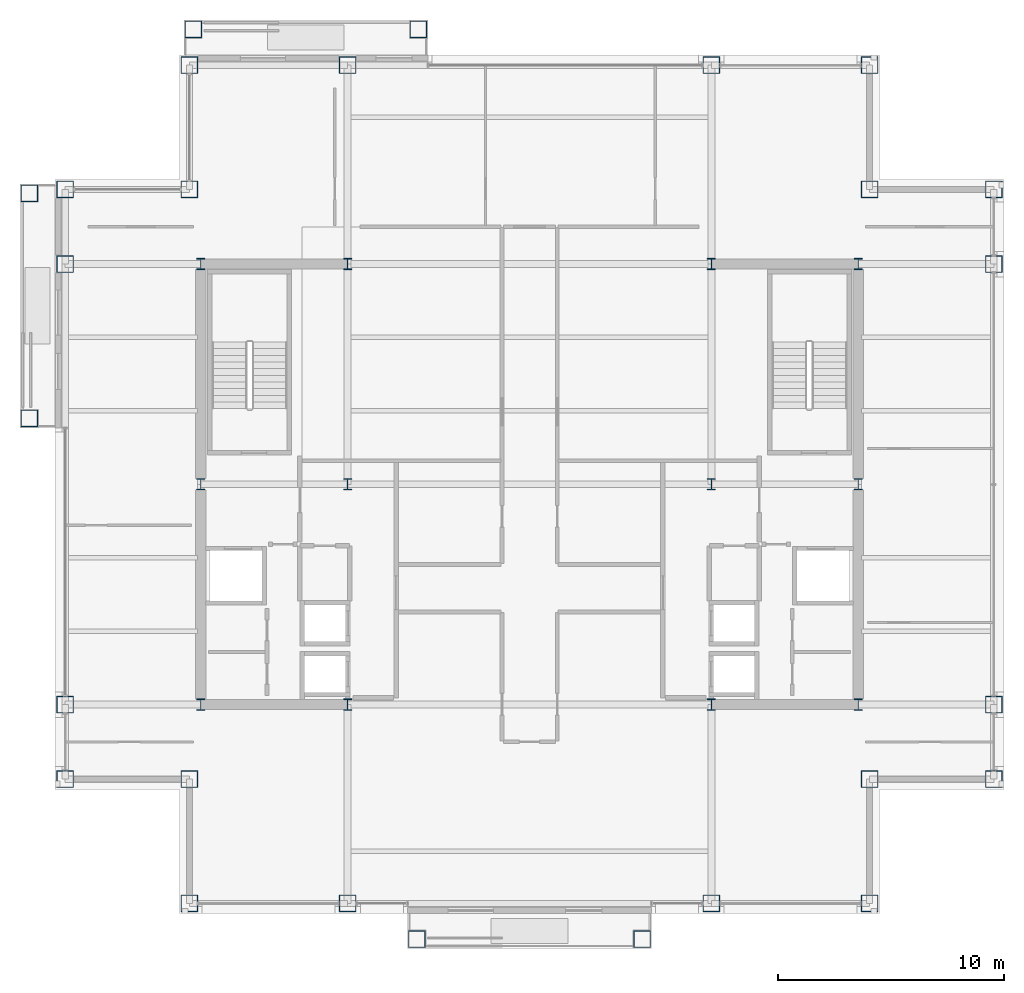
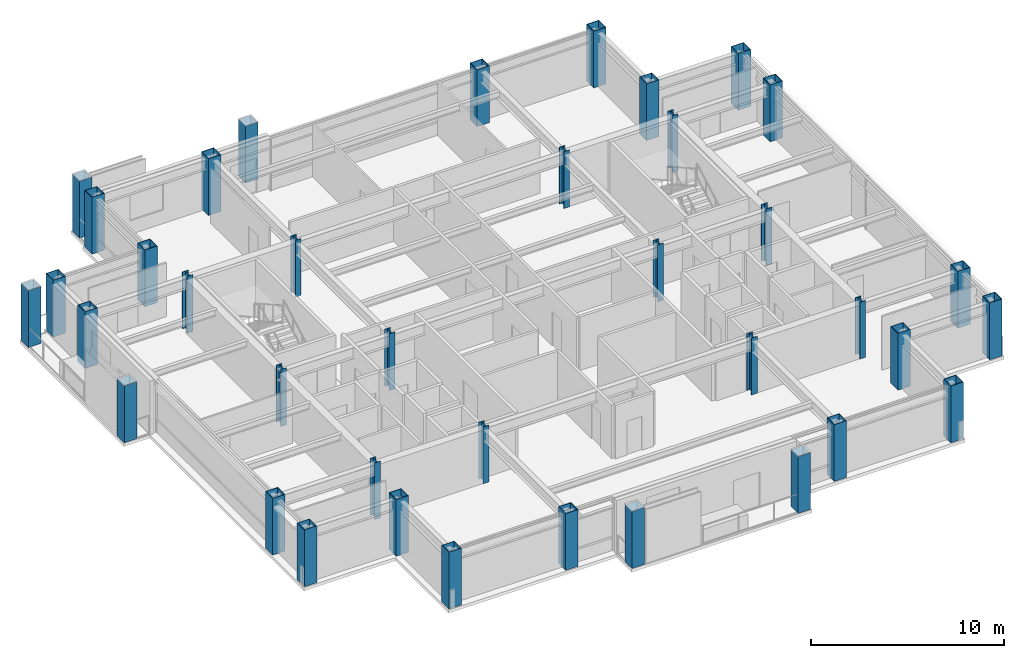
# One storey, part 1 of 28: 38 columns.
"""IFC4 building model written with IfcOpenShell, lengths in metres."""

from ifc_helpers import new_model, si_unit, direction, frame, origin, origin_2d, place, context, subcontext, project, spatial, hollow_rectangle, i_section, extrude, material, material_profile, profile_set, type_object, element, save


model = new_model("IFC4")

# Units and contexts
model_context = context("Model", 3, precision=1e-05, world=origin(), true_north=direction((0.0, 1.0)))
body_context = subcontext(model_context, "Body", "Model", "MODEL_VIEW")
ifc_project = project(units=[si_unit("LENGTHUNIT", "METRE"), si_unit("AREAUNIT", "SQUARE_METRE"), si_unit("VOLUMEUNIT", "CUBIC_METRE"), si_unit("PLANEANGLEUNIT", "RADIAN"), si_unit("MASSUNIT", "GRAM", prefix="KILO")], contexts=[model_context])

# Site, building, storey
site_placement = place(None, origin())
site = spatial("IfcSite", under=ifc_project, at=site_placement, CompositionType="ELEMENT")
building_placement = place(site_placement, origin())
building = spatial("IfcBuilding", under=site, at=building_placement, Name="Brelmoor Portico Tower", CompositionType="ELEMENT")
storey_placement = place(building_placement, frame((0.0, 0.0, 165.89990234375)))
storey = spatial("IfcBuildingStorey", under=building, at=storey_placement, Name="L43", CompositionType="ELEMENT", Elevation=165.89990234375)

# Columns
ifc_material = material(Name="Steel Q355B", Category="steel")
ifc_material_profile_1 = material_profile(ifc_material, hollow_rectangle(XDim=0.75, YDim=0.75, WallThickness=0.031982421875, at=origin_2d()), Name="BOX 750x750x32")
ifc_profile_set_1 = profile_set([ifc_material_profile_1], Name="Steel Q355B")
column_type_1 = type_object("IfcColumnType", Name="COL-MEGA-750", PredefinedType="COLUMN", material=ifc_profile_set_1)
for number, where, z_axis, x_axis, name in (
    (1, (-15.050048828125, -18.550048828125, 0.0), (0.0, 0.0, 1.0), (1.0, 0.0, 0.0), "L43 Perimeter Mega-Column PS01"),
    (2, (-8.050048828125, -18.550048828125, 0.0), (0.0, 0.0, 1.0), (1.0, 0.0, 0.0), "L43 Perimeter Mega-Column PS02"),
    (3, (8.050048828125, -18.550048828125, 0.0), (0.0, 0.0, 1.0), (1.0, 0.0, 0.0), "L43 Perimeter Mega-Column PS03"),
    (4, (15.050048828125, -18.550048828125, 0.0), (0.0, 0.0, 1.0), (1.0, 0.0, 0.0), "L43 Perimeter Mega-Column PS04"),
    (5, (-15.050048828125, 18.550048828125, 0.0), (0.0, 0.0, 1.0), (1.0, 0.0, 0.0), "L43 Perimeter Mega-Column PN01"),
    (6, (-8.050048828125, 18.550048828125, 0.0), (0.0, 0.0, 1.0), (1.0, 0.0, 0.0), "L43 Perimeter Mega-Column PN02"),
    (7, (8.050048828125, 18.550048828125, 0.0), (0.0, 0.0, 1.0), (1.0, 0.0, 0.0), "L43 Perimeter Mega-Column PN03"),
    (8, (15.050048828125, 18.550048828125, 0.0), (0.0, 0.0, 1.0), (1.0, 0.0, 0.0), "L43 Perimeter Mega-Column PN04"),
    (9, (-20.550048828125, -13.050048828125, 0.0), (0.0, 0.0, 1.0), (0.0, 1.0, 0.0), "L43 Perimeter Mega-Column PW01"),
    (10, (-20.550048828125, -9.75, 0.0), (0.0, 0.0, 1.0), (0.0, 1.0, 0.0), "L43 Perimeter Mega-Column PW02"),
    (11, (-20.550048828125, 9.75, 0.0), (0.0, 0.0, 1.0), (0.0, 1.0, 0.0), "L43 Perimeter Mega-Column PW03"),
    (12, (-20.550048828125, 13.050048828125, 0.0), (0.0, 0.0, 1.0), (0.0, 1.0, 0.0), "L43 Perimeter Mega-Column PW04"),
    (13, (20.550048828125, -13.050048828125, 0.0), (0.0, 0.0, 1.0), (0.0, 1.0, 0.0), "L43 Perimeter Mega-Column PE01"),
    (14, (20.550048828125, -9.75, 0.0), (0.0, 0.0, 1.0), (0.0, 1.0, 0.0), "L43 Perimeter Mega-Column PE02"),
    (15, (20.550048828125, 9.75, 0.0), (0.0, 0.0, 1.0), (0.0, 1.0, 0.0), "L43 Perimeter Mega-Column PE03"),
    (16, (20.550048828125, 13.050048828125, 0.0), (0.0, 0.0, 1.0), (0.0, 1.0, 0.0), "L43 Perimeter Mega-Column PE04"),
    (17, (-15.050048828125, 13.050048828125, 0.0), (0.0, 0.0, 1.0), (1.0, 0.0, 0.0), "L43 Perimeter Mega-Column PC-NW"),
    (18, (15.050048828125, 13.050048828125, 0.0), (0.0, 0.0, 1.0), (1.0, 0.0, 0.0), "L43 Perimeter Mega-Column PC-NE"),
    (19, (15.050048828125, -13.050048828125, 0.0), (0.0, 0.0, 1.0), (1.0, 0.0, 0.0), "L43 Perimeter Mega-Column PC-SE"),
    (20, (-15.050048828125, -13.050048828125, 0.0), (0.0, 0.0, 1.0), (1.0, 0.0, 0.0), "L43 Perimeter Mega-Column PC-SW"),
    (21, (-4.97998046875, -20.1298828125, 0.0), (0.0, 0.0, 1.0), (1.0, 0.0, 0.0), "L43 Proud Picture-Frame Pier PFJ-S1"),
    (22, (4.97998046875, -20.1298828125, 0.0), (0.0, 0.0, 1.0), (1.0, 0.0, 0.0), "L43 Proud Picture-Frame Pier PFJ-S2"),
    (23, (-14.8798828125, 20.1298828125, 0.0), (0.0, 0.0, 1.0), (1.0, 0.0, 0.0), "L43 Proud Picture-Frame Pier PFJ-N1"),
    (24, (-4.919921875, 20.1298828125, 0.0), (0.0, 0.0, 1.0), (1.0, 0.0, 0.0), "L43 Proud Picture-Frame Pier PFJ-N2"),
    (25, (-22.1298828125, 2.919921875, 0.0), (0.0, 0.0, 1.0), (0.0, 1.0, 0.0), "L43 Proud Picture-Frame Pier PFJ-W1"),
    (26, (-22.1298828125, 12.8798828125, 0.0), (0.0, 0.0, 1.0), (0.0, 1.0, 0.0), "L43 Proud Picture-Frame Pier PFJ-W2"),
):
    element("IfcColumn", number, at=place(storey_placement, frame(where, z_axis=z_axis, x_axis=x_axis)), inside=storey, type_object=column_type_1, Name=name, PredefinedType="COLUMN", context=body_context, shape_type="SweptSolid", body=[
        extrude(hollow_rectangle(XDim=0.75, YDim=0.75, WallThickness=0.031982421875, at=origin_2d()), origin(), (0.0, 0.0, 1.0), 3.60009765625),
    ])
ifc_material_profile_2 = material_profile(ifc_material, i_section(OverallWidth=0.35009765625, OverallDepth=0.5, WebThickness=0.02001953125, FlangeThickness=0.031982421875, at=origin_2d()), Name="HW 500x350x20x32")
ifc_profile_set_2 = profile_set([ifc_material_profile_2], Name="Steel Q355B")
column_type_2 = type_object("IfcColumnType", Name="COL-SPINE-500", PredefinedType="COLUMN", material=ifc_profile_set_2)
for number, where, z_axis, x_axis, name in (
    (27, (-14.550048828125, -9.75, 0.0), (0.0, 0.0, 1.0), (1.0, 0.0, 0.0), "L43 Core Spine Column CW-SW"),
    (28, (-14.550048828125, 0.0, 0.0), (0.0, 0.0, 1.0), (1.0, 0.0, 0.0), "L43 Core Spine Column CW-MW"),
    (29, (-14.550048828125, 9.75, 0.0), (0.0, 0.0, 1.0), (1.0, 0.0, 0.0), "L43 Core Spine Column CW-NW"),
    (30, (-8.050048828125, -9.75, 0.0), (0.0, 0.0, 1.0), (1.0, 0.0, 0.0), "L43 Core Spine Column CW-SE"),
    (31, (-8.050048828125, 0.0, 0.0), (0.0, 0.0, 1.0), (1.0, 0.0, 0.0), "L43 Core Spine Column CW-ME"),
    (32, (-8.050048828125, 9.75, 0.0), (0.0, 0.0, 1.0), (1.0, 0.0, 0.0), "L43 Core Spine Column CW-NE"),
    (33, (8.050048828125, -9.75, 0.0), (0.0, 0.0, 1.0), (1.0, 0.0, 0.0), "L43 Core Spine Column CE-SW"),
    (34, (8.050048828125, 0.0, 0.0), (0.0, 0.0, 1.0), (1.0, 0.0, 0.0), "L43 Core Spine Column CE-MW"),
    (35, (8.050048828125, 9.75, 0.0), (0.0, 0.0, 1.0), (1.0, 0.0, 0.0), "L43 Core Spine Column CE-NW"),
    (36, (14.550048828125, -9.75, 0.0), (0.0, 0.0, 1.0), (1.0, 0.0, 0.0), "L43 Core Spine Column CE-SE"),
    (37, (14.550048828125, 0.0, 0.0), (0.0, 0.0, 1.0), (1.0, 0.0, 0.0), "L43 Core Spine Column CE-ME"),
    (38, (14.550048828125, 9.75, 0.0), (0.0, 0.0, 1.0), (1.0, 0.0, 0.0), "L43 Core Spine Column CE-NE"),
):
    element("IfcColumn", number, at=place(storey_placement, frame(where, z_axis=z_axis, x_axis=x_axis)), inside=storey, type_object=column_type_2, Name=name, PredefinedType="COLUMN", context=body_context, shape_type="SweptSolid", body=[
        extrude(i_section(OverallWidth=0.35009765625, OverallDepth=0.5, WebThickness=0.02001953125, FlangeThickness=0.031982421875, at=origin_2d()), origin(), (0.0, 0.0, 1.0), 3.60009765625),
    ])

save(model, "model.ifc")
